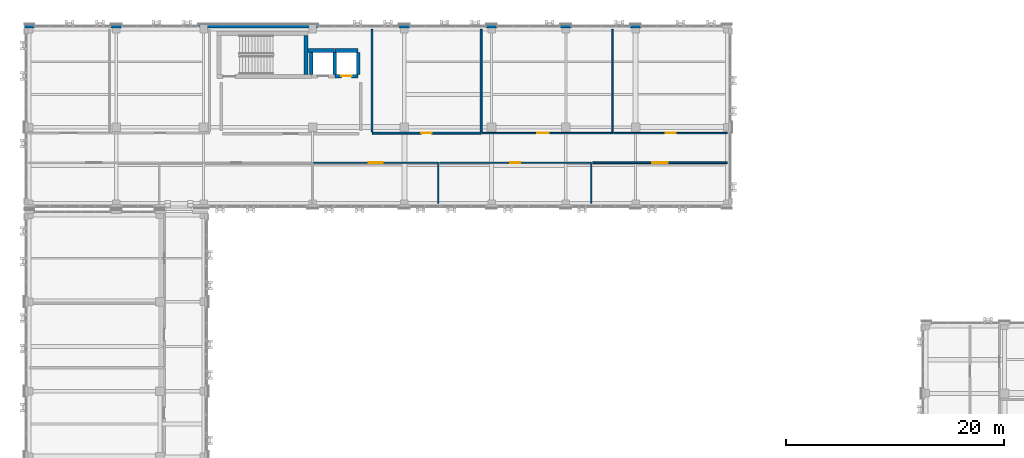
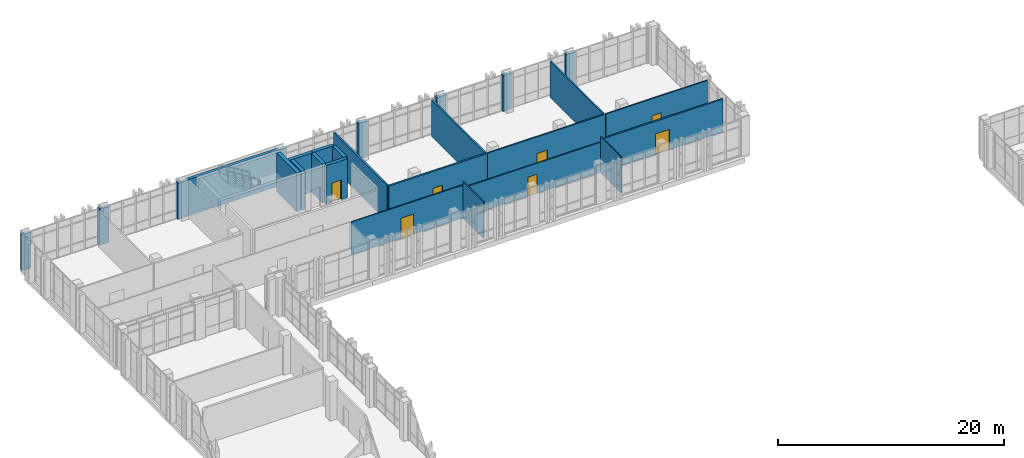
# One storey, part 160 of 193: 25 walls, 7 doors, 7 openings.
"""IFC4 building model written with IfcOpenShell, lengths in metres."""

from ifc_helpers import new_model, si_unit, direction, frame, frame_2d, origin, place, context, subcontext, project, spatial, rectangle, extrude, material, layer, layer_set, type_object, element, fill, save


model = new_model("IFC4")

# Units and contexts
model_context = context("Model", 3, precision=1e-05, world=origin(), true_north=direction((0.0, 1.0)))
body_context = subcontext(model_context, "Body", "Model", "MODEL_VIEW")
ifc_project = project(units=[si_unit("LENGTHUNIT", "METRE"), si_unit("AREAUNIT", "SQUARE_METRE"), si_unit("VOLUMEUNIT", "CUBIC_METRE"), si_unit("PLANEANGLEUNIT", "RADIAN"), si_unit("MASSUNIT", "GRAM", prefix="KILO")], contexts=[model_context])

# Site, building, storey
site_placement = place(None, origin())
site = spatial("IfcSite", under=ifc_project, at=site_placement, CompositionType="ELEMENT")
building_placement = place(site_placement, origin())
building = spatial("IfcBuilding", under=site, at=building_placement, Name="Qalavern Law Courts", CompositionType="ELEMENT")
storey_placement = place(building_placement, frame((0.0, 0.0, 10.199951171875)))
storey = spatial("IfcBuildingStorey", under=building, at=storey_placement, Name="L02", CompositionType="ELEMENT", Elevation=10.199951171875)

# Walls
ifc_material_1 = material(Name="Concrete C40/50", Category="concrete")
ifc_layer_1 = layer(ifc_material_1, 0.31005859375)
ifc_layer_set_1 = layer_set([ifc_layer_1], Name="Concrete C40/50")
wall_type_1 = type_object("IfcWallType", Name="ENV-EW-310", PredefinedType="SOLIDWALL", material=ifc_layer_set_1)
for number, where, z_axis, x_axis, name in (
    (1, (58.5, 112.844970703125, 0.0), (0.0, 0.0, 1.0), (-1.0, 0.0, 0.0), "V5 exterior pier wall L02 north 2"),
    (2, (52.10009765625, 112.844970703125, 0.0), (0.0, 0.0, 1.0), (-1.0, 0.0, 0.0), "V5 exterior pier wall L02 north 3"),
    (3, (45.300048828125, 112.844970703125, 0.0), (0.0, 0.0, 1.0), (-1.0, 0.0, 0.0), "V5 exterior pier wall L02 north 4"),
    (4, (37.300048828125, 112.844970703125, 0.0), (0.0, 0.0, 1.0), (-1.0, 0.0, 0.0), "V5 exterior pier wall L02 north 5"),
):
    element("IfcWall", number, at=place(storey_placement, frame(where, z_axis=z_axis, x_axis=x_axis)), inside=storey, type_object=wall_type_1, Name=name, PredefinedType="SOLIDWALL", context=body_context, shape_type="SweptSolid", body=[
        extrude(rectangle(XDim=1.0, YDim=0.31005859375, at=frame_2d((0.5, 0.0))), origin(), (0.0, 0.0, 1.0), 3.9150390625),
    ])
wall_1_placement = place(storey_placement, frame((28.89990234375, 112.844970703125, 0.0), z_axis=(0.0, 0.0, 1.0), x_axis=(-1.0, 0.0, 0.0)))
element("IfcWall", 5, at=wall_1_placement, inside=storey, type_object=wall_type_1, Name="V5 exterior pier wall L02 north 6", PredefinedType="SOLIDWALL", context=body_context, shape_type="SweptSolid", body=[
    extrude(rectangle(XDim=11.0, YDim=0.31005859375, at=frame_2d((5.5, 0.0))), origin(), (0.0, 0.0, 1.0), 3.9150390625),
])
wall_2_placement = place(storey_placement, frame((10.89990234375, 112.844970703125, 0.0), z_axis=(0.0, 0.0, 1.0), x_axis=(-1.0, 0.0, 0.0)))
element("IfcWall", 6, at=wall_2_placement, inside=storey, type_object=wall_type_1, Name="V5 exterior pier wall L02 north 7", PredefinedType="SOLIDWALL", context=body_context, shape_type="SweptSolid", body=[
    extrude(rectangle(XDim=1.0, YDim=0.31005859375, at=frame_2d((0.5, 0.0))), origin(), (0.0, 0.0, 1.0), 3.9150390625),
])
wall_3_placement = place(storey_placement, frame((2.89990234375, 112.844970703125, 0.0), z_axis=(0.0, 0.0, 1.0), x_axis=(-1.0, 0.0, 0.0)))
element("IfcWall", 7, at=wall_3_placement, inside=storey, type_object=wall_type_1, Name="V5 exterior pier wall L02 north 8", PredefinedType="SOLIDWALL", context=body_context, shape_type="SweptSolid", body=[
    extrude(rectangle(XDim=0.89990234375, YDim=0.31005859375, at=frame_2d((0.449951171875, 0.0))), origin(), (0.0, 0.0, 1.0), 3.9150390625),
])
ifc_material_2 = material(Name="Concrete C45/55", Category="concrete")
ifc_layer_2 = layer(ifc_material_2, 0.375)
ifc_layer_set_2 = layer_set([ifc_layer_2], Name="Concrete C45/55")
wall_type_2 = type_object("IfcWallType", Name="INT-CW-375", PredefinedType="SHEAR", material=ifc_layer_set_2)
wall_4_placement = place(storey_placement, frame((27.78759765625, 108.449951171875, 0.0), z_axis=(0.0, 0.0, 1.0), x_axis=(0.0, 1.0, 0.0)))
element("IfcWall", 8, at=wall_4_placement, inside=storey, type_object=wall_type_2, Name="Core K3 stair shear wall L02 east", PredefinedType="SHEAR", context=body_context, shape_type="SweptSolid", body=[
    extrude(rectangle(XDim=3.550048828125, YDim=0.375, at=frame_2d((1.77490234375, 0.0))), origin(), (0.0, 0.0, 1.0), 4.199951171875),
])

# Wall, opening, door
ifc_material_3 = material(Name="Gypsum sanitary partition")
ifc_layer_3 = layer(ifc_material_3, 0.10205078125)
ifc_layer_set_3 = layer_set([ifc_layer_3], Name="Gypsum sanitary partition")
wall_type_3 = type_object("IfcWallType", Name="INT-PW-102", PredefinedType="PARTITIONING", material=ifc_layer_set_3)
wall_5_placement = place(storey_placement, frame((40.027099609375, 100.340087890625, 0.0), z_axis=(0.0, 0.0, 1.0), x_axis=(1.0, 0.0, 0.0)))
wall_5 = element("IfcWall", 9, at=wall_5_placement, inside=storey, type_object=wall_type_3, Name="Public WC corridor partition L02", PredefinedType="PARTITIONING", context=body_context, shape_type="SweptSolid", body=[
    extrude(rectangle(XDim=13.90185546875, YDim=0.10205078125, at=frame_2d((6.950927734375, 0.0))), origin(), (0.0, 0.0, 1.0), 3.2451171875),
])
opening_1_placement = place(wall_5_placement, frame((6.490966796875, 0.0, 0.0)))
opening_1 = element("IfcOpeningElement", 10, at=opening_1_placement, cuts=wall_5, Name="Opening L02-D362", PredefinedType="OPENING", context=body_context, shape_type="SweptSolid", body=[
    extrude(rectangle(XDim=0.919921875, YDim=2.06005859375, at=frame_2d((0.4599609375, 1.030029296875))), frame((0.0, 0.06591796875, 0.0), z_axis=(0.0, -1.0, 0.0), x_axis=(1.0, 0.0, 0.0)), (0.0, 0.0, 1.0), 0.1318359375),
])
ifc_material_4 = material(Name="Public and Staff WC door")
door_type_1 = type_object("IfcDoorType", Name="INT-ID-920x2060", OperationType="NOTDEFINED", PredefinedType="DOOR", material=ifc_material_4)
door_1_placement = place(opening_1_placement, frame((0.919921875, 0.0, 0.0), z_axis=(0.0, 0.0, 1.0), x_axis=(-1.0, 0.0, 0.0)))
door_1 = element("IfcDoor", 11, at=door_1_placement, inside=storey, type_object=door_type_1, Name="Public WC door L02", OperationType="SINGLE_SWING_LEFT", OverallHeight=2.06005859375, OverallWidth=0.919921875, PredefinedType="DOOR", context=body_context, shape_type="SweptSolid", body=[
    extrude(rectangle(XDim=0.919921875, YDim=2.06005859375, at=frame_2d((0.4599609375, 1.030029296875))), frame((0.0, 0.02490234375, 0.0), z_axis=(0.0, -1.0, 0.0), x_axis=(1.0, 0.0, 0.0)), (0.0, 0.0, 1.0), 0.050048828125),
])
fill(opening_1, door_1)

# Wall
wall_6_placement = place(storey_placement, frame((53.928955078125, 96.639892578125, 0.0), z_axis=(0.0, 0.0, 1.0), x_axis=(0.0, 1.0, 0.0)))
element("IfcWall", 12, at=wall_6_placement, inside=storey, type_object=wall_type_3, Name="Public WC cross partition L02 east", PredefinedType="PARTITIONING", context=body_context, shape_type="SweptSolid", body=[
    extrude(rectangle(XDim=3.629150390625, YDim=0.10205078125, at=frame_2d((1.814453125, 0.0))), origin(), (0.0, 0.0, 1.0), 3.9150390625),
])

# Wall, opening, door
ifc_material_5 = material(Name="Gypsum stud partition")
ifc_layer_4 = layer(ifc_material_5, 0.112060546875)
ifc_layer_set_4 = layer_set([ifc_layer_4], Name="Gypsum stud partition")
wall_type_4 = type_object("IfcWallType", Name="INT-PW-112", PredefinedType="PARTITIONING", material=ifc_layer_set_4)
wall_7_placement = place(storey_placement, frame((28.48095703125, 100.340087890625, 0.0), z_axis=(0.0, 0.0, 1.0), x_axis=(1.0, 0.0, 0.0)))
wall_7 = element("IfcWall", 13, at=wall_7_placement, inside=storey, type_object=wall_type_4, Name="Judicial Research Office corridor partition L02", PredefinedType="PARTITIONING", context=body_context, shape_type="SweptSolid", body=[
    extrude(rectangle(XDim=11.426025390625, YDim=0.112060546875, at=frame_2d((5.712890625, 0.0))), origin(), (0.0, 0.0, 1.0), 3.53515625),
])
opening_2_placement = place(wall_7_placement, frame((5.072998046875, 0.0, 0.0)))
opening_2 = element("IfcOpeningElement", 14, at=opening_2_placement, cuts=wall_7, Name="Opening L02-D361", PredefinedType="OPENING", context=body_context, shape_type="SweptSolid", body=[
    extrude(rectangle(XDim=1.280029296875, YDim=2.179931640625, at=frame_2d((0.64013671875, 1.08984375))), frame((0.0, 0.07080078125, 0.0), z_axis=(0.0, -1.0, 0.0), x_axis=(1.0, 0.0, 0.0)), (0.0, 0.0, 1.0), 0.141845703125),
])
ifc_material_6 = material(Name="Wide oak Judicial Conference door")
door_type_2 = type_object("IfcDoorType", Name="INT-ID-1280x2180", OperationType="NOTDEFINED", PredefinedType="DOOR", material=ifc_material_6)
door_2_placement = place(opening_2_placement, frame((1.280029296875, 0.0, 0.0), z_axis=(0.0, 0.0, 1.0), x_axis=(-1.0, 0.0, 0.0)))
door_2 = element("IfcDoor", 15, at=door_2_placement, inside=storey, type_object=door_type_2, Name="Judicial Research Office door L02", OperationType="SINGLE_SWING_RIGHT", OverallHeight=2.179931640625, OverallWidth=1.280029296875, PredefinedType="DOOR", context=body_context, shape_type="SweptSolid", body=[
    extrude(rectangle(XDim=1.280029296875, YDim=2.179931640625, at=frame_2d((0.64013671875, 1.08984375))), frame((0.0, 0.02490234375, 0.0), z_axis=(0.0, -1.0, 0.0), x_axis=(1.0, 0.0, 0.0)), (0.0, 0.0, 1.0), 0.050048828125),
])
fill(opening_2, door_2)

# Wall
wall_8_placement = place(storey_placement, frame((39.906982421875, 96.639892578125, 0.0), z_axis=(0.0, 0.0, 1.0), x_axis=(0.0, 1.0, 0.0)))
element("IfcWall", 16, at=wall_8_placement, inside=storey, type_object=wall_type_4, Name="Judicial Research Office cross partition L02 east", PredefinedType="PARTITIONING", context=body_context, shape_type="SweptSolid", body=[
    extrude(rectangle(XDim=3.6240234375, YDim=0.112060546875, at=frame_2d((1.81201171875, 0.0))), origin(), (0.0, 0.0, 1.0), 3.9150390625),
])

# Wall, opening, door
ifc_layer_5 = layer(ifc_material_5, 0.132080078125)
ifc_layer_set_5 = layer_set([ifc_layer_5], Name="Gypsum stud partition")
wall_type_5 = type_object("IfcWallType", Name="INT-PW-132", PredefinedType="PARTITIONING", material=ifc_layer_set_5)
wall_9_placement = place(storey_placement, frame((56.012939453125, 103.06005859375, 0.0), z_axis=(0.0, 0.0, 1.0), x_axis=(1.0, 0.0, 0.0)))
wall_9 = element("IfcWall", 17, at=wall_9_placement, inside=storey, type_object=wall_type_5, Name="Public WC corridor partition L02", PredefinedType="PARTITIONING", context=body_context, shape_type="SweptSolid", body=[
    extrude(rectangle(XDim=10.406982421875, YDim=0.132080078125, at=frame_2d((5.20361328125, 0.0))), origin(), (0.0, 0.0, 1.0), 3.9150390625),
])
opening_3_placement = place(wall_9_placement, frame((4.743408203125, 0.0, 0.0)))
opening_3 = element("IfcOpeningElement", 18, at=opening_3_placement, cuts=wall_9, Name="Opening L02-D366", PredefinedType="OPENING", context=body_context, shape_type="SweptSolid", body=[
    extrude(rectangle(XDim=0.919921875, YDim=2.06005859375, at=frame_2d((0.4599609375, 1.030029296875))), frame((0.0, 0.0810546875, 0.0), z_axis=(0.0, -1.0, 0.0), x_axis=(1.0, 0.0, 0.0)), (0.0, 0.0, 1.0), 0.161865234375),
])
door_3_placement = place(opening_3_placement, origin())
door_3 = element("IfcDoor", 19, at=door_3_placement, inside=storey, type_object=door_type_1, Name="Public WC door L02", OperationType="SINGLE_SWING_RIGHT", OverallHeight=2.06005859375, OverallWidth=0.919921875, PredefinedType="DOOR", context=body_context, shape_type="SweptSolid", body=[
    extrude(rectangle(XDim=0.919921875, YDim=2.06005859375, at=frame_2d((0.4599609375, 1.030029296875))), frame((0.0, 0.02490234375, 0.0), z_axis=(0.0, -1.0, 0.0), x_axis=(1.0, 0.0, 0.0)), (0.0, 0.0, 1.0), 0.050048828125),
])
fill(opening_3, door_3)

ifc_layer_6 = layer(ifc_material_5, 0.14208984375)
ifc_layer_set_6 = layer_set([ifc_layer_6], Name="Gypsum stud partition")
wall_type_6 = type_object("IfcWallType", Name="INT-PW-142", PredefinedType="PARTITIONING", material=ifc_layer_set_6)
wall_10_placement = place(storey_placement, frame((43.955078125, 103.06005859375, 0.0), z_axis=(0.0, 0.0, 1.0), x_axis=(1.0, 0.0, 0.0)))
wall_10 = element("IfcWall", 20, at=wall_10_placement, inside=storey, type_object=wall_type_6, Name="Judicial Research Office corridor partition L02", PredefinedType="PARTITIONING", context=body_context, shape_type="SweptSolid", body=[
    extrude(rectangle(XDim=11.93798828125, YDim=0.14208984375, at=frame_2d((5.968994140625, 0.0))), origin(), (0.0, 0.0, 1.0), 3.9150390625),
])
opening_4_placement = place(wall_10_placement, frame((5.0390625, 0.0, 0.0)))
opening_4 = element("IfcOpeningElement", 21, at=opening_4_placement, cuts=wall_10, Name="Opening L02-D365", PredefinedType="OPENING", context=body_context, shape_type="SweptSolid", body=[
    extrude(rectangle(XDim=1.06005859375, YDim=2.1201171875, at=frame_2d((0.530029296875, 1.06005859375))), frame((0.0, 0.0859375, 0.0), z_axis=(0.0, -1.0, 0.0), x_axis=(1.0, 0.0, 0.0)), (0.0, 0.0, 1.0), 0.171875),
])
ifc_material_7 = material(Name="Solid oak Trial Judges' Chambers door")
door_type_3 = type_object("IfcDoorType", Name="INT-ID-1060x2120", OperationType="NOTDEFINED", PredefinedType="DOOR", material=ifc_material_7)
door_4_placement = place(opening_4_placement, origin())
door_4 = element("IfcDoor", 22, at=door_4_placement, inside=storey, type_object=door_type_3, Name="Judicial Research Office door L02", OperationType="SINGLE_SWING_LEFT", OverallHeight=2.1201171875, OverallWidth=1.06005859375, PredefinedType="DOOR", context=body_context, shape_type="SweptSolid", body=[
    extrude(rectangle(XDim=1.06005859375, YDim=2.1201171875, at=frame_2d((0.530029296875, 1.06005859375))), frame((0.0, 0.02490234375, 0.0), z_axis=(0.0, -1.0, 0.0), x_axis=(1.0, 0.0, 0.0)), (0.0, 0.0, 1.0), 0.050048828125),
])
fill(opening_4, door_4)

# Wall
wall_11_placement = place(storey_placement, frame((55.89306640625, 103.15087890625, 0.0), z_axis=(0.0, 0.0, 1.0), x_axis=(0.0, 1.0, 0.0)))
element("IfcWall", 23, at=wall_11_placement, inside=storey, type_object=wall_type_6, Name="Judicial Research Office cross partition L02 east", PredefinedType="PARTITIONING", context=body_context, shape_type="SweptSolid", body=[
    extrude(rectangle(XDim=9.4091796875, YDim=0.14208984375, at=frame_2d((4.70458984375, 0.0))), origin(), (0.0, 0.0, 1.0), 3.9150390625),
])

# Wall, opening, door
ifc_layer_7 = layer(ifc_material_5, 0.162109375)
ifc_layer_set_7 = layer_set([ifc_layer_7], Name="Gypsum stud partition")
wall_type_7 = type_object("IfcWallType", Name="INT-PW-162", PredefinedType="PARTITIONING", material=ifc_layer_set_7)
wall_12_placement = place(storey_placement, frame((54.049072265625, 100.340087890625, 0.0), z_axis=(0.0, 0.0, 1.0), x_axis=(1.0, 0.0, 0.0)))
wall_12 = element("IfcWall", 24, at=wall_12_placement, inside=storey, type_object=wall_type_7, Name="Law Library Upper Reading Room corridor partition L02", PredefinedType="PARTITIONING", context=body_context, shape_type="SweptSolid", body=[
    extrude(rectangle(XDim=12.370849609375, YDim=0.162109375, at=frame_2d((6.185546875, 0.0))), origin(), (0.0, 0.0, 1.0), 3.56494140625),
])
opening_5_placement = place(wall_12_placement, frame((5.485595703125, 0.0, 0.0)))
opening_5 = element("IfcOpeningElement", 25, at=opening_5_placement, cuts=wall_12, Name="Opening L02-D363", PredefinedType="OPENING", context=body_context, shape_type="SweptSolid", body=[
    extrude(rectangle(XDim=1.39990234375, YDim=2.199951171875, at=frame_2d((0.699951171875, 1.10009765625))), frame((0.0, 0.095947265625, 0.0), z_axis=(0.0, -1.0, 0.0), x_axis=(1.0, 0.0, 0.0)), (0.0, 0.0, 1.0), 0.19189453125),
])
ifc_material_8 = material(Name="Oak double Case Registry door")
door_type_4 = type_object("IfcDoorType", Name="INT-ID-1400x2200", OperationType="DOUBLE_DOOR_SINGLE_SWING", PredefinedType="DOOR", material=ifc_material_8)
door_5_placement = place(opening_5_placement, frame((1.39990234375, 0.0, 0.0), z_axis=(0.0, 0.0, 1.0), x_axis=(-1.0, 0.0, 0.0)))
door_5 = element("IfcDoor", 26, at=door_5_placement, inside=storey, type_object=door_type_4, Name="Law Library Upper Reading Room door L02", OperationType="DOUBLE_DOOR_SINGLE_SWING", OverallHeight=2.199951171875, OverallWidth=1.39990234375, PredefinedType="DOOR", context=body_context, shape_type="SweptSolid", body=[
    extrude(rectangle(XDim=1.39990234375, YDim=2.199951171875, at=frame_2d((0.699951171875, 1.10009765625))), frame((0.0, 0.02490234375, 0.0), z_axis=(0.0, -1.0, 0.0), x_axis=(1.0, 0.0, 0.0)), (0.0, 0.0, 1.0), 0.050048828125),
])
fill(opening_5, door_5)

ifc_material_9 = material(Name="Gypsum acoustic stud partition")
ifc_layer_8 = layer(ifc_material_9, 0.174072265625)
ifc_layer_set_8 = layer_set([ifc_layer_8], Name="Gypsum acoustic stud partition")
wall_type_8 = type_object("IfcWallType", Name="INT-PW-174", PredefinedType="PARTITIONING", material=ifc_layer_set_8)
wall_13_placement = place(storey_placement, frame((33.840087890625, 103.06005859375, 0.0), z_axis=(0.0, 0.0, 1.0), x_axis=(1.0, 0.0, 0.0)))
wall_13 = element("IfcWall", 27, at=wall_13_placement, inside=storey, type_object=wall_type_8, Name="Legal Periodicals Stack corridor partition L02", PredefinedType="PARTITIONING", context=body_context, shape_type="SweptSolid", body=[
    extrude(rectangle(XDim=9.994873046875, YDim=0.174072265625, at=frame_2d((4.99755859375, 0.0))), origin(), (0.0, 0.0, 1.0), 3.9150390625),
])
opening_6_placement = place(wall_13_placement, frame((4.532470703125, 0.0, 0.0)))
opening_6 = element("IfcOpeningElement", 28, at=opening_6_placement, cuts=wall_13, Name="Opening L02-D364", PredefinedType="OPENING", context=body_context, shape_type="SweptSolid", body=[
    extrude(rectangle(XDim=0.929931640625, YDim=2.080078125, at=frame_2d((0.46484375, 1.0400390625))), frame((0.0, 0.10205078125, 0.0), z_axis=(0.0, -1.0, 0.0), x_axis=(1.0, 0.0, 0.0)), (0.0, 0.0, 1.0), 0.203857421875),
])
ifc_material_10 = material(Name="Steel Legal Archive Vault door", Category="steel")
door_type_5 = type_object("IfcDoorType", Name="INT-ID-930x2080", OperationType="NOTDEFINED", PredefinedType="DOOR", material=ifc_material_10)
door_6_placement = place(opening_6_placement, origin())
door_6 = element("IfcDoor", 29, at=door_6_placement, inside=storey, type_object=door_type_5, Name="Legal Periodicals Stack door L02", OperationType="SINGLE_SWING_RIGHT", OverallHeight=2.080078125, OverallWidth=0.929931640625, PredefinedType="DOOR", context=body_context, shape_type="SweptSolid", body=[
    extrude(rectangle(XDim=0.929931640625, YDim=2.080078125, at=frame_2d((0.46484375, 1.0400390625))), frame((0.0, 0.02490234375, 0.0), z_axis=(0.0, -1.0, 0.0), x_axis=(1.0, 0.0, 0.0)), (0.0, 0.0, 1.0), 0.050048828125),
])
fill(opening_6, door_6)

# Walls
for number, where, z_axis, x_axis, name in (
    (30, (33.840087890625, 103.1669921875, 0.0), (0.0, 0.0, 1.0), (0.0, 1.0, 0.0), "Legal Periodicals Stack cross partition L02 west"),
    (31, (43.8349609375, 103.1669921875, 0.0), (0.0, 0.0, 1.0), (0.0, 1.0, 0.0), "Legal Periodicals Stack cross partition L02 east"),
):
    element("IfcWall", number, at=place(storey_placement, frame(where, z_axis=z_axis, x_axis=x_axis)), inside=storey, type_object=wall_type_8, Name=name, PredefinedType="PARTITIONING", context=body_context, shape_type="SweptSolid", body=[
        extrude(rectangle(XDim=9.39306640625, YDim=0.174072265625, at=frame_2d((4.696533203125, 0.0))), origin(), (0.0, 0.0, 1.0), 3.9150390625),
    ])
ifc_layer_9 = layer(ifc_material_2, 0.344970703125)
ifc_layer_set_9 = layer_set([ifc_layer_9], Name="Concrete C45/55")
wall_type_9 = type_object("IfcWallType", Name="INT-SW-345", PredefinedType="SHEAR", material=ifc_layer_set_9)
wall_14_placement = place(storey_placement, frame((30.422607421875, 108.449951171875, 0.0), z_axis=(0.0, 0.0, 1.0), x_axis=(0.0, 1.0, 0.0)))
element("IfcWall", 32, at=wall_14_placement, inside=storey, type_object=wall_type_9, Name="Lift LF-J1 shaft wall L02 east", PredefinedType="SHEAR", context=body_context, shape_type="SweptSolid", body=[
    extrude(rectangle(XDim=2.0, YDim=0.344970703125, at=frame_2d((1.0, 0.0))), origin(), (0.0, 0.0, 1.0), 4.199951171875),
])
wall_15_placement = place(storey_placement, frame((30.422607421875, 110.62255859375, 0.0), z_axis=(0.0, 0.0, 1.0), x_axis=(-1.0, 0.0, 0.0)))
element("IfcWall", 33, at=wall_15_placement, inside=storey, type_object=wall_type_9, Name="Lift LF-J1 shaft wall L02 north", PredefinedType="SHEAR", context=body_context, shape_type="SweptSolid", body=[
    extrude(rectangle(XDim=2.444580078125, YDim=0.344970703125, at=frame_2d((1.22216796875, 0.0))), origin(), (0.0, 0.0, 1.0), 4.199951171875),
])
wall_16_placement = place(storey_placement, frame((28.277587890625, 110.449951171875, 0.0), z_axis=(0.0, 0.0, 1.0), x_axis=(0.0, -1.0, 0.0)))
element("IfcWall", 34, at=wall_16_placement, inside=storey, type_object=wall_type_9, Name="Lift LF-J1 shaft wall L02 west", PredefinedType="SHEAR", context=body_context, shape_type="SweptSolid", body=[
    extrude(rectangle(XDim=2.0, YDim=0.344970703125, at=frame_2d((1.0, 0.0))), origin(), (0.0, 0.0, 1.0), 4.199951171875),
])

# Wall, opening, door
wall_17_placement = place(storey_placement, frame((30.427490234375, 108.277587890625, 0.0), z_axis=(0.0, 0.0, 1.0), x_axis=(1.0, 0.0, 0.0)))
wall_17 = element("IfcWall", 35, at=wall_17_placement, inside=storey, type_object=wall_type_9, Name="Lift LF-J2 shaft wall L02 south", PredefinedType="SHEAR", context=body_context, shape_type="SweptSolid", body=[
    extrude(rectangle(XDim=2.14501953125, YDim=0.344970703125, at=frame_2d((1.072509765625, 0.0))), origin(), (0.0, 0.0, 1.0), 4.199951171875),
])
opening_7_placement = place(wall_17_placement, frame((0.592529296875, 0.0, 0.0)))
opening_7 = element("IfcOpeningElement", 36, at=opening_7_placement, cuts=wall_17, Name="Opening LD-LF-J2-L02", PredefinedType="OPENING", context=body_context, shape_type="SweptSolid", body=[
    extrude(rectangle(XDim=0.9599609375, YDim=2.1201171875, at=frame_2d((0.47998046875, 1.06005859375))), frame((0.0, 0.1875, 0.0), z_axis=(0.0, -1.0, 0.0), x_axis=(1.0, 0.0, 0.0)), (0.0, 0.0, 1.0), 0.374755859375),
])
ifc_material_11 = material(Name="Heavy-gauge steel judicial lift sliding landing door", Category="steel")
door_type_6 = type_object("IfcDoorType", Name="INT-LD-960x2120", OperationType="SLIDING_TO_LEFT", PredefinedType="DOOR", material=ifc_material_11)
door_7_placement = place(opening_7_placement, origin())
door_7 = element("IfcDoor", 37, at=door_7_placement, inside=storey, type_object=door_type_6, Name="Lift LF-J2 sliding landing door L02", OperationType="SLIDING_TO_LEFT", OverallHeight=2.1201171875, OverallWidth=0.9599609375, PredefinedType="DOOR", context=body_context, shape_type="SweptSolid", body=[
    extrude(rectangle(XDim=0.9599609375, YDim=2.1201171875, at=frame_2d((0.47998046875, 1.06005859375))), frame((0.0, 0.02490234375, 0.0), z_axis=(0.0, -1.0, 0.0), x_axis=(1.0, 0.0, 0.0)), (0.0, 0.0, 1.0), 0.050048828125),
])
fill(opening_7, door_7)

# Walls
wall_18_placement = place(storey_placement, frame((32.572509765625, 108.449951171875, 0.0), z_axis=(0.0, 0.0, 1.0), x_axis=(0.0, 1.0, 0.0)))
element("IfcWall", 38, at=wall_18_placement, inside=storey, type_object=wall_type_9, Name="Lift LF-J2 shaft wall L02 east", PredefinedType="SHEAR", context=body_context, shape_type="SweptSolid", body=[
    extrude(rectangle(XDim=2.0, YDim=0.344970703125, at=frame_2d((1.0, 0.0))), origin(), (0.0, 0.0, 1.0), 4.199951171875),
])
wall_19_placement = place(storey_placement, frame((32.572509765625, 110.62255859375, 0.0), z_axis=(0.0, 0.0, 1.0), x_axis=(-1.0, 0.0, 0.0)))
element("IfcWall", 39, at=wall_19_placement, inside=storey, type_object=wall_type_9, Name="Lift LF-J2 shaft wall L02 north", PredefinedType="SHEAR", context=body_context, shape_type="SweptSolid", body=[
    extrude(rectangle(XDim=2.14501953125, YDim=0.344970703125, at=frame_2d((1.072509765625, 0.0))), origin(), (0.0, 0.0, 1.0), 4.199951171875),
])

save(model, "model.ifc")
